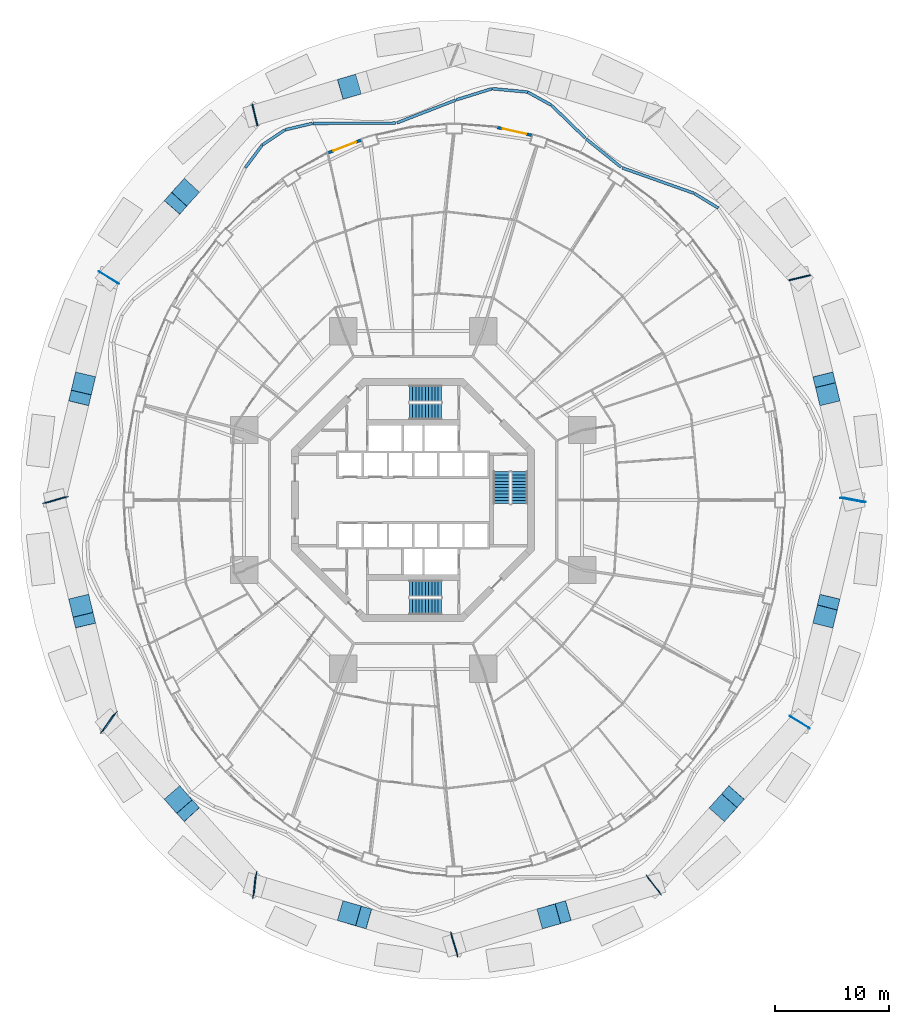
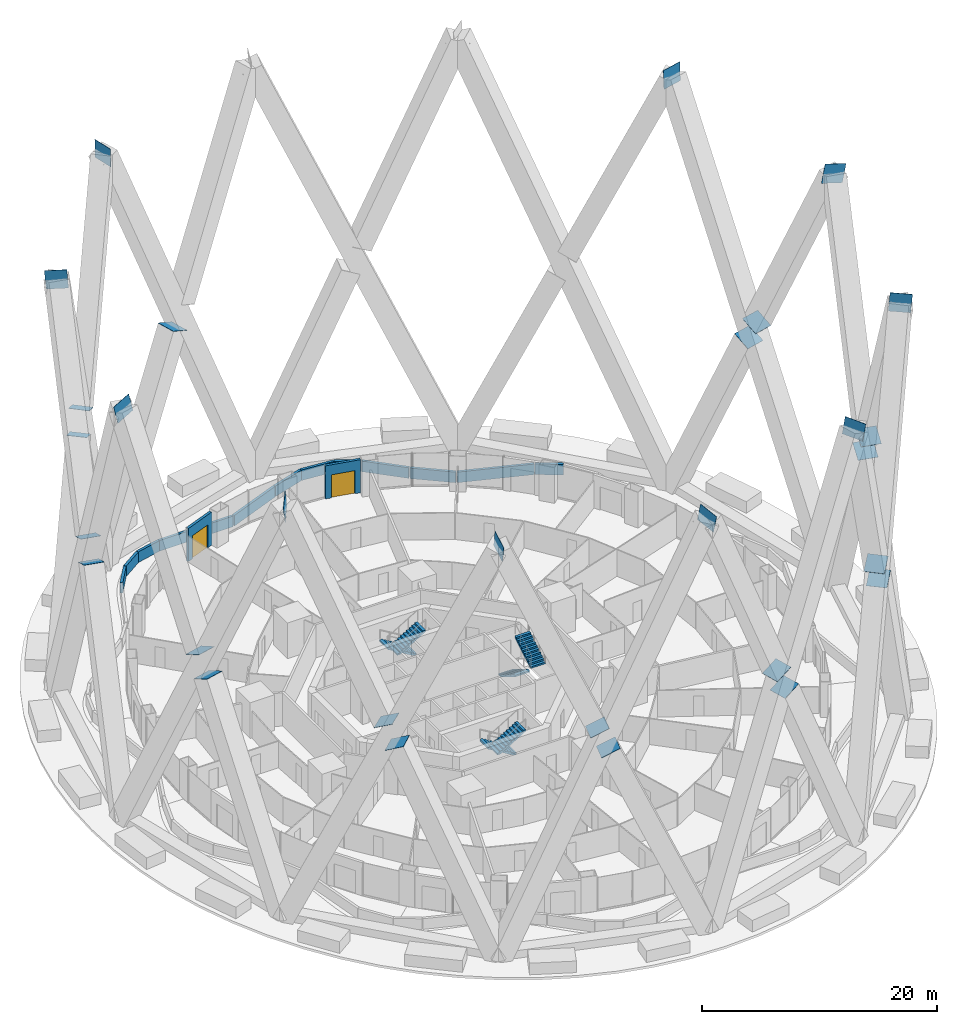
# One storey, part 40 of 42: 29 discrete accessories, 14 walls, 6 stair flights, 2 doors, 2 openings, 3 elements without a shape of their own.
"""IFC4 building model written with IfcOpenShell, lengths in metres."""

import ifcopenshell
import ifcopenshell.guid

model = None  # the IFC model being written
_history = None  # IfcOwnerHistory: only IFC2X3 demands one
_inside = {}  # id of a spatial element -> (the spatial element, [elements in it])
_under = {}  # id of a project, library or spatial element -> (it, [spatial elements below it])
_declared = {}  # id of a project -> (the project, [libraries it declares])
_typed = {}  # id of a type object -> (the type object, [elements of that type])
_made_of = {}  # id of a material, layer set ... -> (it, [elements and type objects made of it])


def new_model(schema):
    """Start an empty IFC model of exactly this schema.

    Asked for "IFC4X3", IfcOpenShell would pick the latest addendum, in which some entities
    have other attributes; the version numbers below select the first issue.
    IFC2X3 requires an IfcOwnerHistory on every rooted entity: one is made here for all.
    """
    global model, _history
    if schema == "IFC4X3":
        model = ifcopenshell.file(schema_version=(4, 3, 0, 0))
    else:
        model = ifcopenshell.file(schema=schema)
    _inside.clear()
    _under.clear()
    _declared.clear()
    _typed.clear()
    _made_of.clear()
    _history = None
    if model.schema == "IFC2X3":
        org = make("IfcOrganization", Name="unknown")
        user = make(
            "IfcPersonAndOrganization",
            ThePerson=make("IfcPerson", FamilyName="unknown"),
            TheOrganization=org,
        )
        app = make(
            "IfcApplication",
            ApplicationDeveloper=org,
            Version="unknown",
            ApplicationFullName="unknown",
            ApplicationIdentifier="unknown",
        )
        _history = make(
            "IfcOwnerHistory",
            OwningUser=user,
            OwningApplication=app,
            ChangeAction="ADDED",
            CreationDate=0,
        )
    return model


def make(cls, **values):
    """One entity of the class cls with the attributes given. An attribute that is None is left unset."""
    return model.create_entity(
        cls, **{name: value for name, value in values.items() if value is not None}
    )


def rooted(cls, **values):
    """An entity with a GlobalId (a new one), such as an element, a storey or a relation."""
    return make(cls, GlobalId=ifcopenshell.guid.new(), OwnerHistory=_history, **values)


def si_unit(unit_type, name, prefix=None):
    """IfcSIUnit, for example si_unit("LENGTHUNIT", "METRE", prefix="MILLI")."""
    return make("IfcSIUnit", UnitType=unit_type, Prefix=prefix, Name=name)


def assignment(units):
    """IfcUnitAssignment: the units of a project."""
    return None if units is None else make("IfcUnitAssignment", Units=units)


def point(xyz):
    """IfcCartesianPoint."""
    return None if xyz is None else make("IfcCartesianPoint", Coordinates=xyz)


def direction(xyz):
    """IfcDirection."""
    return None if xyz is None else make("IfcDirection", DirectionRatios=xyz)


def frame(location, z_axis=None, x_axis=None):
    """IfcAxis2Placement3D, a coordinate frame: its origin and axes. An axis left out is left unset."""
    return make(
        "IfcAxis2Placement3D",
        Location=point(location),
        Axis=direction(z_axis),
        RefDirection=direction(x_axis),
    )


def frame_2d(location, x_axis=None):
    """IfcAxis2Placement2D, a coordinate frame in the plane: its origin and x axis."""
    return make(
        "IfcAxis2Placement2D", Location=point(location), RefDirection=direction(x_axis)
    )


def origin():
    """The frame at (0, 0, 0) with its axes left unset."""
    return frame((0.0, 0.0, 0.0))


def origin_2d():
    """The frame at (0, 0) in the plane with its x axis left unset."""
    return frame_2d((0.0, 0.0))


def place(relative_to, where):
    """IfcLocalPlacement: puts the frame where relative to a parent placement (None: the world)."""
    return make(
        "IfcLocalPlacement", PlacementRelTo=relative_to, RelativePlacement=where
    )


def context(
    kind, dimensions, precision=None, world=None, true_north=None, identifier=None
):
    """IfcGeometricRepresentationContext, for example the 3D "Model" context."""
    return make(
        "IfcGeometricRepresentationContext",
        ContextIdentifier=identifier,
        ContextType=kind,
        CoordinateSpaceDimension=dimensions,
        Precision=precision,
        WorldCoordinateSystem=world,
        TrueNorth=true_north,
    )


def subcontext(parent, identifier, kind, view, scale=None):
    """IfcGeometricRepresentationSubContext, for example "Body" below "Model"."""
    return make(
        "IfcGeometricRepresentationSubContext",
        ContextIdentifier=identifier,
        ContextType=kind,
        ParentContext=parent,
        TargetScale=scale,
        TargetView=view,
    )


def project(units=None, contexts=None):
    """IfcProject with its units and contexts."""
    return rooted(
        "IfcProject",
        Name="project",
        RepresentationContexts=contexts,
        UnitsInContext=assignment(units),
    )


def spatial(cls, under=None, at=None, **own):
    """A site, building, storey or space (cls), placed at a placement, below another one or the project."""
    s = rooted(cls, ObjectPlacement=at, **own)
    if under is not None:
        _under.setdefault(under.id(), (under, []))[1].append(s)
    return s


def polyline(points):
    """IfcPolyline through the points."""
    return make("IfcPolyline", Points=[point(p) for p in points])


def profile(cls, at=None, kind="AREA", **sizes):
    """A parametric profile (cls). Its sizes go by their IFC names, for example OverallWidth=200.0."""
    return make(cls, ProfileType=kind, Position=at, **sizes)


def rectangle(**sizes):
    """IfcRectangleProfileDef."""
    return profile("IfcRectangleProfileDef", **sizes)


def outline(outer, holes=None, kind="AREA"):
    """IfcArbitraryClosedProfileDef: a profile drawn as a closed curve; with holes, ...WithVoids."""
    if holes is None:
        return make("IfcArbitraryClosedProfileDef", ProfileType=kind, OuterCurve=outer)
    return make(
        "IfcArbitraryProfileDefWithVoids",
        ProfileType=kind,
        OuterCurve=outer,
        InnerCurves=holes,
    )


def extrude(swept, where, along, depth):
    """IfcExtrudedAreaSolid: the profile swept, set in the frame where, extruded along a direction by depth."""
    return make(
        "IfcExtrudedAreaSolid",
        SweptArea=swept,
        Position=where,
        ExtrudedDirection=direction(along),
        Depth=depth,
    )


def shape(context_of_items, identifier, shape_type, items):
    """IfcShapeRepresentation: the items that make up one representation, for example the "Body"."""
    return make(
        "IfcShapeRepresentation",
        ContextOfItems=context_of_items,
        RepresentationIdentifier=identifier,
        RepresentationType=shape_type,
        Items=items,
    )


def material(Name=None, Category=None):
    """IfcMaterial."""
    return make("IfcMaterial", Name=Name, Category=Category)


def layer(
    of_material, thickness, ventilated=None, Name=None, Category=None, Priority=None
):
    """IfcMaterialLayer: one layer of a wall or slab, of a material (None: an air gap)."""
    return make(
        "IfcMaterialLayer",
        Material=of_material,
        LayerThickness=thickness,
        IsVentilated=ventilated,
        Name=Name,
        Category=Category,
        Priority=Priority,
    )


def layer_set(layers, Name=None):
    """IfcMaterialLayerSet."""
    return make("IfcMaterialLayerSet", MaterialLayers=layers, LayerSetName=Name)


def made_of(thing, what):
    """Note that an element or type object is made of a material, layer set ...; save() writes the relation."""
    if what is not None:
        _made_of.setdefault(what.id(), (what, []))[1].append(thing)
    return thing


def type_object(cls, material=None, **own):
    """A type object (cls), such as IfcWallType, which elements share."""
    return made_of(rooted(cls, **own), material)


def element(
    cls,
    number,
    at=None,
    inside=None,
    cuts=None,
    type_object=None,
    material=None,
    context=None,
    identifier="Body",
    shape_type=None,
    held_by="IfcProductDefinitionShape",
    body=None,
    shapes=None,
    **own,
):
    """One element of the class cls, such as IfcWall. Its Tag is "e" and its number.

    at: its placement. inside: the storey or other place that contains it. cuts: it is an
    opening in that element (IfcRelVoidsElement). A single representation is given by context,
    identifier, shape_type and body (its items); several are given by shapes. held_by: the class
    of the entity that holds the representations. save() writes the other relations.
    """
    e = rooted(cls, Tag="e%d" % number, ObjectPlacement=at, **own)
    if body is not None:
        shapes = [shape(context, identifier, shape_type, body)]
    if shapes is not None:
        e.Representation = make(held_by, Representations=shapes)
    if inside is not None:
        _inside.setdefault(inside.id(), (inside, []))[1].append(e)
    if cuts is not None:
        rooted(
            "IfcRelVoidsElement", RelatingBuildingElement=cuts, RelatedOpeningElement=e
        )
    if type_object is not None:
        _typed.setdefault(type_object.id(), (type_object, []))[1].append(e)
    return made_of(e, material)


def fill(opening, filler):
    """IfcRelFillsElement: the door or window that sits in an opening."""
    return rooted(
        "IfcRelFillsElement",
        RelatingOpeningElement=opening,
        RelatedBuildingElement=filler,
    )


def aggregate(whole, parts):
    """IfcRelAggregates: a whole, such as a stair, and the parts it consists of."""
    return rooted("IfcRelAggregates", RelatingObject=whole, RelatedObjects=parts)


def save(model, path):
    """Write the relations noted so far, then the file.

    IfcRelAggregates (storeys below a building ...), IfcRelContainedInSpatialStructure (elements
    in a storey), IfcRelDefinesByType, IfcRelAssociatesMaterial and IfcRelDeclares: one each for
    every whole, place, type object, material and project.
    """
    for whole, parts in _under.values():
        aggregate(whole, parts)
    for where, things in _inside.values():
        rooted(
            "IfcRelContainedInSpatialStructure",
            RelatedElements=things,
            RelatingStructure=where,
        )
    for kind, things in _typed.values():
        rooted("IfcRelDefinesByType", RelatedObjects=things, RelatingType=kind)
    for what, things in _made_of.values():
        rooted("IfcRelAssociatesMaterial", RelatedObjects=things, RelatingMaterial=what)
    for by, libraries in _declared.values():
        rooted("IfcRelDeclares", RelatingContext=by, RelatedDefinitions=libraries)
    model.write(path)


model = new_model("IFC4")

# Units and contexts
model_context = context("Model", 3, precision=1e-05, world=origin(), true_north=direction((0.0, 1.0)))
body_context = subcontext(model_context, "Body", "Model", "MODEL_VIEW")
ifc_project = project(units=[si_unit("LENGTHUNIT", "METRE"), si_unit("AREAUNIT", "SQUARE_METRE"), si_unit("VOLUMEUNIT", "CUBIC_METRE"), si_unit("PLANEANGLEUNIT", "RADIAN"), si_unit("MASSUNIT", "GRAM", prefix="KILO")], contexts=[model_context])

# Site, building, storey
site_placement = place(None, origin())
site = spatial("IfcSite", under=ifc_project, at=site_placement, CompositionType="ELEMENT")
building_placement = place(site_placement, origin())
building = spatial("IfcBuilding", under=site, at=building_placement, Name="Nagisa Residences", CompositionType="ELEMENT")
storey_placement = place(building_placement, frame((0.0, 0.0, 27.0)))
storey = spatial("IfcBuildingStorey", under=building, at=storey_placement, Name="L05", CompositionType="ELEMENT", Elevation=27.0)

# Wall, opening, door
ifc_material_1 = material(Name="Precast concrete C40/50", Category="concrete")
ifc_layer_1 = layer(ifc_material_1, 0.25)
ifc_layer_set_1 = layer_set([ifc_layer_1], Name="BALCONY DOOR WALL 250")
wall_type_1 = type_object("IfcWallType", Name="BALCONY DOOR WALL 250", PredefinedType="SOLIDWALL", material=ifc_layer_set_1)
wall_1_placement = place(storey_placement, frame((7.357666015625, 32.595703125, 0.0), z_axis=(0.0, 0.0, 1.0), x_axis=(0.97533495413, -0.220729987208, 0.0)))
wall_1 = element("IfcWall", 1, at=wall_1_placement, inside=storey, type_object=wall_type_1, Name="wall:L05:bay10", PredefinedType="SOLIDWALL", context=body_context, shape_type="SweptSolid", body=[
    extrude(rectangle(XDim=3.11474609375, YDim=0.25, at=frame_2d((1.557373046875, 0.0))), origin(), (0.0, 0.0, 1.0), 3.43994140625),
])
opening_1_placement = place(wall_1_placement, frame((0.50732421875, 0.0, 0.0)))
opening_1 = element("IfcOpeningElement", 2, at=opening_1_placement, cuts=wall_1, Name="Opening BD-L05-04", PredefinedType="OPENING", context=body_context, shape_type="SweptSolid", body=[
    extrude(rectangle(XDim=2.10009765625, YDim=2.39990234375, at=frame_2d((1.050048828125, 1.199951171875))), frame((0.0, 0.135009765625, 0.0), z_axis=(0.0, -1.0, 0.0), x_axis=(1.0, 0.0, 0.0)), (0.0, 0.0, 1.0), 0.27001953125),
])
ifc_material_2 = material(Name="Aluminium and clear glass", Category="aluminium")
door_type = type_object("IfcDoorType", Name="BALCONY SLIDING DOOR 2100x2400", OperationType="SLIDING_TO_LEFT", PredefinedType="DOOR", material=ifc_material_2)
door_1_placement = place(opening_1_placement, origin())
door_1 = element("IfcDoor", 3, at=door_1_placement, inside=storey, type_object=door_type, Name="door:L05:bay10", OperationType="SLIDING_TO_LEFT", OverallHeight=2.39990234375, OverallWidth=2.10009765625, PredefinedType="DOOR", context=body_context, shape_type="SweptSolid", body=[
    extrude(rectangle(XDim=2.10009765625, YDim=2.39990234375, at=frame_2d((1.050048828125, 1.199951171875))), frame((0.0, 0.02490234375, 0.0), z_axis=(0.0, -1.0, 0.0), x_axis=(1.0, 0.0, 0.0)), (0.0, 0.0, 1.0), 0.050048828125),
])
fill(opening_1, door_1)

wall_2_placement = place(storey_placement, frame((-7.452880859375, 30.371337890625, 0.0), z_axis=(0.0, 0.0, 1.0), x_axis=(0.932809381943, 0.360370166577, 0.0)))
wall_2 = element("IfcWall", 4, at=wall_2_placement, inside=storey, type_object=wall_type_1, Name="wall:L05:bay14", PredefinedType="SOLIDWALL", context=body_context, shape_type="SweptSolid", body=[
    extrude(rectangle(XDim=3.15087890625, YDim=0.25, at=frame_2d((1.575439453125, 0.0))), origin(), (0.0, 0.0, 1.0), 3.43994140625),
])
opening_2_placement = place(wall_2_placement, frame((0.525390625, 0.0, 0.0)))
opening_2 = element("IfcOpeningElement", 5, at=opening_2_placement, cuts=wall_2, Name="Opening BD-L05-05", PredefinedType="OPENING", context=body_context, shape_type="SweptSolid", body=[
    extrude(rectangle(XDim=2.10009765625, YDim=2.39990234375, at=frame_2d((1.050048828125, 1.199951171875))), frame((0.0, 0.135009765625, 0.0), z_axis=(0.0, -1.0, 0.0), x_axis=(1.0, 0.0, 0.0)), (0.0, 0.0, 1.0), 0.27001953125),
])
door_2_placement = place(opening_2_placement, origin())
door_2 = element("IfcDoor", 6, at=door_2_placement, inside=storey, type_object=door_type, Name="door:L05:bay14", OperationType="SLIDING_TO_LEFT", OverallHeight=2.39990234375, OverallWidth=2.10009765625, PredefinedType="DOOR", context=body_context, shape_type="SweptSolid", body=[
    extrude(rectangle(XDim=2.10009765625, YDim=2.39990234375, at=frame_2d((1.050048828125, 1.199951171875))), frame((0.0, 0.02490234375, 0.0), z_axis=(0.0, -1.0, 0.0), x_axis=(1.0, 0.0, 0.0)), (0.0, 0.0, 1.0), 0.050048828125),
])
fill(opening_2, door_2)

# Walls
ifc_material_3 = material(Name="Precast concrete C40/50", Category="concrete")
ifc_layer_2 = layer(ifc_material_3, 0.25)
ifc_layer_set_2 = layer_set([ifc_layer_2], Name="PARAPET 250")
wall_type_2 = type_object("IfcWallType", Name="PARAPET 250", PredefinedType="PARAPET", material=ifc_layer_set_2)
wall_3_placement = place(storey_placement, frame((26.690673828125, 25.544677734375, 0.0), z_axis=(0.0, 0.0, 1.0), x_axis=(-0.852196394013, 0.523222042761, 0.0)))
element("IfcWall", 7, at=wall_3_placement, inside=storey, type_object=wall_type_2, Name="parapet:L05:bal02-0-00", PredefinedType="PARAPET", context=body_context, shape_type="SweptSolid", body=[
    extrude(rectangle(XDim=2.42822265625, YDim=0.25, at=frame_2d((1.214111328125, 0.0))), origin(), (0.0, 0.0, 1.0), 1.10009765625),
])
wall_4_placement = place(storey_placement, frame((24.572998046875, 26.838134765625, 0.0), z_axis=(0.0, 0.0, 1.0), x_axis=(-0.94252427227, 0.334137690453, 0.0)))
element("IfcWall", 8, at=wall_4_placement, inside=storey, type_object=wall_type_2, Name="parapet:L05:bal02-0-01", PredefinedType="PARAPET", context=body_context, shape_type="SweptSolid", body=[
    extrude(rectangle(XDim=6.656982421875, YDim=0.25, at=frame_2d((3.32861328125, 0.0))), origin(), (0.0, 0.0, 1.0), 1.10009765625),
])
wall_5_placement = place(storey_placement, frame((18.19287109375, 29.121826171875, 0.0), z_axis=(0.0, 0.0, 1.0), x_axis=(-0.777298307168, 0.62913221319, 0.0)))
element("IfcWall", 9, at=wall_5_placement, inside=storey, type_object=wall_type_2, Name="parapet:L05:bal02-0-02", PredefinedType="PARAPET", context=body_context, shape_type="SweptSolid", body=[
    extrude(rectangle(XDim=3.9365234375, YDim=0.25, at=frame_2d((1.96826171875, 0.0))), origin(), (0.0, 0.0, 1.0), 1.10009765625),
])
wall_6_placement = place(storey_placement, frame((15.066162109375, 31.6669921875, 0.0), z_axis=(0.0, 0.0, 1.0), x_axis=(-0.717813068458, 0.696235878672, 0.0)))
element("IfcWall", 10, at=wall_6_placement, inside=storey, type_object=wall_type_2, Name="parapet:L05:bal03-0-00", PredefinedType="PARAPET", context=body_context, shape_type="SweptSolid", body=[
    extrude(rectangle(XDim=4.107177734375, YDim=0.25, at=frame_2d((2.0537109375, 0.0))), origin(), (0.0, 0.0, 1.0), 1.10009765625),
])
wall_7_placement = place(storey_placement, frame((12.080810546875, 34.55419921875, 0.0), z_axis=(0.0, 0.0, 1.0), x_axis=(-0.875309718776, 0.483562711772, 0.0)))
element("IfcWall", 11, at=wall_7_placement, inside=storey, type_object=wall_type_2, Name="parapet:L05:bal03-0-01", PredefinedType="PARAPET", context=body_context, shape_type="SweptSolid", body=[
    extrude(rectangle(XDim=2.353271484375, YDim=0.25, at=frame_2d((1.1767578125, 0.0))), origin(), (0.0, 0.0, 1.0), 1.10009765625),
])
wall_8_placement = place(storey_placement, frame((9.994873046875, 35.7001953125, 0.0), z_axis=(0.0, 0.0, 1.0), x_axis=(-0.995657166599, 0.093095685183, 0.0)))
element("IfcWall", 12, at=wall_8_placement, inside=storey, type_object=wall_type_2, Name="parapet:L05:bal03-0-02", PredefinedType="PARAPET", context=body_context, shape_type="SweptSolid", body=[
    extrude(rectangle(XDim=3.086669921875, YDim=0.25, at=frame_2d((1.54345703125, 0.0))), origin(), (0.0, 0.0, 1.0), 1.10009765625),
])
wall_9_placement = place(storey_placement, frame((6.892333984375, 35.984375, 0.0), z_axis=(0.0, 0.0, 1.0), x_axis=(-0.955072156414, -0.296373372695, 0.0)))
element("IfcWall", 13, at=wall_9_placement, inside=storey, type_object=wall_type_2, Name="parapet:L05:bal03-0-03", PredefinedType="PARAPET", context=body_context, shape_type="SweptSolid", body=[
    extrude(rectangle(XDim=3.268798828125, YDim=0.25, at=frame_2d((1.63427734375, 0.0))), origin(), (0.0, 0.0, 1.0), 1.10009765625),
])
wall_10_placement = place(storey_placement, frame((3.712890625, 34.989501953125, 0.0), z_axis=(0.0, 0.0, 1.0), x_axis=(-0.932281162563, -0.361734479874, 0.0)))
element("IfcWall", 14, at=wall_10_placement, inside=storey, type_object=wall_type_2, Name="parapet:L05:bal04-0-00", PredefinedType="PARAPET", context=body_context, shape_type="SweptSolid", body=[
    extrude(rectangle(XDim=5.5126953125, YDim=0.25, at=frame_2d((2.75634765625, 0.0))), origin(), (0.0, 0.0, 1.0), 1.10009765625),
])
wall_11_placement = place(storey_placement, frame((-1.548828125, 32.972412109375, 0.0), z_axis=(0.0, 0.0, 1.0), x_axis=(-0.999997519695, -0.002227241126, 0.0)))
element("IfcWall", 15, at=wall_11_placement, inside=storey, type_object=wall_type_2, Name="parapet:L05:bal04-0-01", PredefinedType="PARAPET", context=body_context, shape_type="SweptSolid", body=[
    extrude(rectangle(XDim=7.234619140625, YDim=0.25, at=frame_2d((3.6171875, 0.0))), origin(), (0.0, 0.0, 1.0), 1.10009765625),
])
wall_12_placement = place(storey_placement, frame((-8.8154296875, 32.953857421875, 0.0), z_axis=(0.0, 0.0, 1.0), x_axis=(-0.973368718072, -0.22924514974, 0.0)))
element("IfcWall", 16, at=wall_12_placement, inside=storey, type_object=wall_type_2, Name="parapet:L05:bal05-0-00", PredefinedType="PARAPET", context=body_context, shape_type="SweptSolid", body=[
    extrude(rectangle(XDim=2.4462890625, YDim=0.25, at=frame_2d((1.22314453125, 0.0))), origin(), (0.0, 0.0, 1.0), 1.10009765625),
])
wall_13_placement = place(storey_placement, frame((-11.22802734375, 32.37939453125, 0.0), z_axis=(0.0, 0.0, 1.0), x_axis=(-0.832193744061, -0.554484961334, 0.0)))
element("IfcWall", 17, at=wall_13_placement, inside=storey, type_object=wall_type_2, Name="parapet:L05:bal05-0-01", PredefinedType="PARAPET", context=body_context, shape_type="SweptSolid", body=[
    extrude(rectangle(XDim=2.35595703125, YDim=0.25, at=frame_2d((1.177978515625, 0.0))), origin(), (0.0, 0.0, 1.0), 1.10009765625),
])
wall_14_placement = place(storey_placement, frame((-13.215087890625, 31.048095703125, 0.0), z_axis=(0.0, 0.0, 1.0), x_axis=(-0.597715227752, -0.80170849223, 0.0)))
element("IfcWall", 18, at=wall_14_placement, inside=storey, type_object=wall_type_2, Name="parapet:L05:bal05-0-02", PredefinedType="PARAPET", context=body_context, shape_type="SweptSolid", body=[
    extrude(rectangle(XDim=2.447509765625, YDim=0.25, at=frame_2d((1.2236328125, 0.0))), origin(), (0.0, 0.0, 1.0), 1.10009765625),
])

# Stair, stair flights
ifc_material_4 = material(Name="Concrete C60", Category="concrete")
stair_type = type_object("IfcStairType", Name="Exit stair", PredefinedType="HALF_TURN_STAIR", material=ifc_material_4)
stair_1_placement = place(storey_placement, origin())
stair_1 = element("IfcStair", 19, at=stair_1_placement, inside=storey, type_object=stair_type, Name="L05 Exit stair E", PredefinedType="HALF_TURN_STAIR")
ifc_material_5 = material(Name="Concrete C60", Category="concrete")
stair_flight_type = type_object("IfcStairFlightType", Name="Exit stair flight", PredefinedType="STRAIGHT", material=ifc_material_5)
stair_flight_1_placement = place(storey_placement, frame((7.737060546875, 2.47509765625, 0.0), z_axis=(0.0, 0.0, 1.0), x_axis=(0.0, -1.0, 0.0)))
stair_flight_1 = element("IfcStairFlight", 20, at=stair_flight_1_placement, type_object=stair_flight_type, Name="ST-E flight 1", NumberOfRisers=11, NumberOfTreads=10, PredefinedType="STRAIGHT", RiserHeight=0.168181818, TreadLength=0.28, context=body_context, shape_type="SweptSolid", body=[
    extrude(outline(polyline([(0.0, 0.0), (0.0, 0.168212890625), (0.280029296875, 0.168212890625), (0.280029296875, 0.33642578125), (0.56005859375, 0.33642578125), (0.56005859375, 0.504638671875), (0.840087890625, 0.504638671875), (0.840087890625, 0.672607421875), (1.1201171875, 0.672607421875), (1.1201171875, 0.8408203125), (1.39990234375, 0.8408203125), (1.39990234375, 1.009033203125), (1.679931640625, 1.009033203125), (1.679931640625, 1.17724609375), (1.9599609375, 1.17724609375), (1.9599609375, 1.345458984375), (2.239990234375, 1.345458984375), (2.239990234375, 1.513671875), (2.52001953125, 1.513671875), (2.52001953125, 1.681884765625), (2.800048828125, 1.681884765625), (2.800048828125, 1.85009765625), (2.800048828125, 1.5068359375), (0.291015625, 0.0), (0.0, 0.0)])), frame((0.0, 0.71240234375, 0.0), z_axis=(0.0, -1.0, 0.0), x_axis=(1.0, 0.0, 0.0)), (0.0, 0.0, 1.0), 1.425048828125),
])
stair_flight_2_placement = place(storey_placement, frame((9.31201171875, -0.324951171875, 1.85009765625), z_axis=(0.0, 0.0, 1.0), x_axis=(0.0, 1.0, 0.0)))
stair_flight_2 = element("IfcStairFlight", 21, at=stair_flight_2_placement, type_object=stair_flight_type, Name="ST-E flight 2", NumberOfRisers=11, NumberOfTreads=10, PredefinedType="STRAIGHT", RiserHeight=0.168181818, TreadLength=0.28, context=body_context, shape_type="SweptSolid", body=[
    extrude(outline(polyline([(0.0, 0.0), (0.0, 0.168212890625), (0.280029296875, 0.168212890625), (0.280029296875, 0.33642578125), (0.56005859375, 0.33642578125), (0.56005859375, 0.504638671875), (0.840087890625, 0.504638671875), (0.840087890625, 0.672607421875), (1.1201171875, 0.672607421875), (1.1201171875, 0.8408203125), (1.39990234375, 0.8408203125), (1.39990234375, 1.009033203125), (1.679931640625, 1.009033203125), (1.679931640625, 1.17724609375), (1.9599609375, 1.17724609375), (1.9599609375, 1.345458984375), (2.239990234375, 1.345458984375), (2.239990234375, 1.513671875), (2.52001953125, 1.513671875), (2.52001953125, 1.681884765625), (2.800048828125, 1.681884765625), (2.800048828125, 1.85009765625), (2.800048828125, 1.5068359375), (0.291015625, 0.0), (0.0, 0.0)])), frame((0.0, 0.71240234375, 0.0), z_axis=(0.0, -1.0, 0.0), x_axis=(1.0, 0.0, 0.0)), (0.0, 0.0, 1.0), 1.425048828125),
])
aggregate(stair_1, [stair_flight_1, stair_flight_2])

stair_2_placement = place(storey_placement, origin())
stair_2 = element("IfcStair", 22, at=stair_2_placement, inside=storey, type_object=stair_type, Name="L05 Exit stair N", PredefinedType="HALF_TURN_STAIR")
stair_flight_3_placement = place(storey_placement, frame((2.47509765625, 9.31201171875, 0.0), z_axis=(0.0, 0.0, 1.0), x_axis=(-1.0, 0.0, 0.0)))
stair_flight_3 = element("IfcStairFlight", 23, at=stair_flight_3_placement, type_object=stair_flight_type, Name="ST-N flight 1", NumberOfRisers=11, NumberOfTreads=10, PredefinedType="STRAIGHT", RiserHeight=0.168181818, TreadLength=0.28, context=body_context, shape_type="SweptSolid", body=[
    extrude(outline(polyline([(0.0, 0.0), (0.0, 0.168212890625), (0.280029296875, 0.168212890625), (0.280029296875, 0.33642578125), (0.56005859375, 0.33642578125), (0.56005859375, 0.504638671875), (0.840087890625, 0.504638671875), (0.840087890625, 0.672607421875), (1.1201171875, 0.672607421875), (1.1201171875, 0.8408203125), (1.39990234375, 0.8408203125), (1.39990234375, 1.009033203125), (1.679931640625, 1.009033203125), (1.679931640625, 1.17724609375), (1.9599609375, 1.17724609375), (1.9599609375, 1.345458984375), (2.239990234375, 1.345458984375), (2.239990234375, 1.513671875), (2.52001953125, 1.513671875), (2.52001953125, 1.681884765625), (2.800048828125, 1.681884765625), (2.800048828125, 1.85009765625), (2.800048828125, 1.5068359375), (0.291015625, 0.0), (0.0, 0.0)])), frame((0.0, 0.71240234375, 0.0), z_axis=(0.0, -1.0, 0.0), x_axis=(1.0, 0.0, 0.0)), (0.0, 0.0, 1.0), 1.425048828125),
])
stair_flight_4_placement = place(storey_placement, frame((-0.324951171875, 7.737060546875, 1.85009765625), z_axis=(0.0, 0.0, 1.0), x_axis=(1.0, 0.0, 0.0)))
stair_flight_4 = element("IfcStairFlight", 24, at=stair_flight_4_placement, type_object=stair_flight_type, Name="ST-N flight 2", NumberOfRisers=11, NumberOfTreads=10, PredefinedType="STRAIGHT", RiserHeight=0.168181818, TreadLength=0.28, context=body_context, shape_type="SweptSolid", body=[
    extrude(outline(polyline([(0.0, 0.0), (0.0, 0.168212890625), (0.280029296875, 0.168212890625), (0.280029296875, 0.33642578125), (0.56005859375, 0.33642578125), (0.56005859375, 0.504638671875), (0.840087890625, 0.504638671875), (0.840087890625, 0.672607421875), (1.1201171875, 0.672607421875), (1.1201171875, 0.8408203125), (1.39990234375, 0.8408203125), (1.39990234375, 1.009033203125), (1.679931640625, 1.009033203125), (1.679931640625, 1.17724609375), (1.9599609375, 1.17724609375), (1.9599609375, 1.345458984375), (2.239990234375, 1.345458984375), (2.239990234375, 1.513671875), (2.52001953125, 1.513671875), (2.52001953125, 1.681884765625), (2.800048828125, 1.681884765625), (2.800048828125, 1.85009765625), (2.800048828125, 1.5068359375), (0.291015625, 0.0), (0.0, 0.0)])), frame((0.0, 0.71240234375, 0.0), z_axis=(0.0, -1.0, 0.0), x_axis=(1.0, 0.0, 0.0)), (0.0, 0.0, 1.0), 1.425048828125),
])
aggregate(stair_2, [stair_flight_3, stair_flight_4])

stair_3_placement = place(storey_placement, origin())
stair_3 = element("IfcStair", 25, at=stair_3_placement, inside=storey, type_object=stair_type, Name="L05 Exit stair S", PredefinedType="HALF_TURN_STAIR")
stair_flight_5_placement = place(storey_placement, frame((2.47509765625, -7.737060546875, 0.0), z_axis=(0.0, 0.0, 1.0), x_axis=(-1.0, 0.0, 0.0)))
stair_flight_5 = element("IfcStairFlight", 26, at=stair_flight_5_placement, type_object=stair_flight_type, Name="ST-S flight 1", NumberOfRisers=11, NumberOfTreads=10, PredefinedType="STRAIGHT", RiserHeight=0.168181818, TreadLength=0.28, context=body_context, shape_type="SweptSolid", body=[
    extrude(outline(polyline([(0.0, 0.0), (0.0, 0.168212890625), (0.280029296875, 0.168212890625), (0.280029296875, 0.33642578125), (0.56005859375, 0.33642578125), (0.56005859375, 0.504638671875), (0.840087890625, 0.504638671875), (0.840087890625, 0.672607421875), (1.1201171875, 0.672607421875), (1.1201171875, 0.8408203125), (1.39990234375, 0.8408203125), (1.39990234375, 1.009033203125), (1.679931640625, 1.009033203125), (1.679931640625, 1.17724609375), (1.9599609375, 1.17724609375), (1.9599609375, 1.345458984375), (2.239990234375, 1.345458984375), (2.239990234375, 1.513671875), (2.52001953125, 1.513671875), (2.52001953125, 1.681884765625), (2.800048828125, 1.681884765625), (2.800048828125, 1.85009765625), (2.800048828125, 1.5068359375), (0.291015625, 0.0), (0.0, 0.0)])), frame((0.0, 0.71240234375, 0.0), z_axis=(0.0, -1.0, 0.0), x_axis=(1.0, 0.0, 0.0)), (0.0, 0.0, 1.0), 1.425048828125),
])
stair_flight_6_placement = place(storey_placement, frame((-0.324951171875, -9.31201171875, 1.85009765625), z_axis=(0.0, 0.0, 1.0), x_axis=(1.0, 0.0, 0.0)))
stair_flight_6 = element("IfcStairFlight", 27, at=stair_flight_6_placement, type_object=stair_flight_type, Name="ST-S flight 2", NumberOfRisers=11, NumberOfTreads=10, PredefinedType="STRAIGHT", RiserHeight=0.168181818, TreadLength=0.28, context=body_context, shape_type="SweptSolid", body=[
    extrude(outline(polyline([(0.0, 0.0), (0.0, 0.168212890625), (0.280029296875, 0.168212890625), (0.280029296875, 0.33642578125), (0.56005859375, 0.33642578125), (0.56005859375, 0.504638671875), (0.840087890625, 0.504638671875), (0.840087890625, 0.672607421875), (1.1201171875, 0.672607421875), (1.1201171875, 0.8408203125), (1.39990234375, 0.8408203125), (1.39990234375, 1.009033203125), (1.679931640625, 1.009033203125), (1.679931640625, 1.17724609375), (1.9599609375, 1.17724609375), (1.9599609375, 1.345458984375), (2.239990234375, 1.345458984375), (2.239990234375, 1.513671875), (2.52001953125, 1.513671875), (2.52001953125, 1.681884765625), (2.800048828125, 1.681884765625), (2.800048828125, 1.85009765625), (2.800048828125, 1.5068359375), (0.291015625, 0.0), (0.0, 0.0)])), frame((0.0, 0.71240234375, 0.0), z_axis=(0.0, -1.0, 0.0), x_axis=(1.0, 0.0, 0.0)), (0.0, 0.0, 1.0), 1.425048828125),
])
aggregate(stair_3, [stair_flight_5, stair_flight_6])

# Discrete accessories
ifc_material_6 = material(Name="Steel ASTM A572 Gr 50", Category="steel")
ifc_layer_3 = layer(ifc_material_6, 0.030029296875)
ifc_layer_set_3 = layer_set([ifc_layer_3], Name="Node plate")
discrete_accessory_type = type_object("IfcDiscreteAccessoryType", Name="Node plate", PredefinedType="ANCHORPLATE", material=ifc_layer_set_3)
discrete_accessory_1_placement = place(storey_placement, frame((33.827880859375, 19.435302734375, 42.6005859375), z_axis=(-0.234712040403, 0.97122223615, -0.040467593173), x_axis=(0.010288815738, -0.039146058173, -0.999180527432)))
element("IfcDiscreteAccessory", 28, at=discrete_accessory_1_placement, inside=storey, type_object=discrete_accessory_type, Name="Node plate CD1101", PredefinedType="ANCHORPLATE", context=body_context, shape_type="SweptSolid", body=[
    extrude(rectangle(XDim=1.919921875, YDim=1.919921875, at=origin_2d()), origin(), (0.0, 0.0, 1.0), 0.0302734375),
])
discrete_accessory_2_placement = place(storey_placement, frame((36.0478515625, 10.2001953125, 20.259521484375), z_axis=(0.105824041307, -0.415155854358, 0.903574506543), x_axis=(0.969014535327, 0.247003705083, 0.0)))
element("IfcDiscreteAccessory", 29, at=discrete_accessory_2_placement, inside=storey, type_object=discrete_accessory_type, Name="Node plate CD1102A", PredefinedType="ANCHORPLATE", context=body_context, shape_type="SweptSolid", body=[
    extrude(rectangle(XDim=1.800048828125, YDim=1.800048828125, at=origin_2d()), origin(), (0.0, 0.0, 1.0), 0.030029296875),
])
discrete_accessory_3_placement = place(storey_placement, frame((36.2763671875, 9.25, 22.340576171875), z_axis=(-0.098094099664, 0.408725415267, -0.907370421893), x_axis=(-0.972387301981, -0.233372952475, 0.0)))
element("IfcDiscreteAccessory", 30, at=discrete_accessory_3_placement, inside=storey, type_object=discrete_accessory_type, Name="Node plate CD1102B", PredefinedType="ANCHORPLATE", context=body_context, shape_type="SweptSolid", body=[
    extrude(rectangle(XDim=1.800048828125, YDim=1.800048828125, at=origin_2d()), origin(), (0.0, 0.0, 1.0), 0.02978515625),
])
discrete_accessory_4_placement = place(storey_placement, frame((38.497314453125, -0.0146484375, 42.600341796875), z_axis=(0.180273373583, 0.983309310455, -0.024582732761), x_axis=(-0.187060672798, 0.009736954053, -0.982300105069)))
element("IfcDiscreteAccessory", 31, at=discrete_accessory_4_placement, inside=storey, type_object=discrete_accessory_type, Name="Node plate CD1102B", PredefinedType="ANCHORPLATE", context=body_context, shape_type="SweptSolid", body=[
    extrude(rectangle(XDim=1.919921875, YDim=1.919921875, at=origin_2d()), origin(), (0.0, 0.0, 1.0), 0.02978515625),
])
discrete_accessory_5_placement = place(storey_placement, frame((-13.83544921875, 33.69189453125, 42.6005859375), z_axis=(-0.970757642229, -0.236571190123, -0.040788136228), x_axis=(0.034316291002, 0.031411987516, -0.998917253436)))
element("IfcDiscreteAccessory", 32, at=discrete_accessory_5_placement, inside=storey, type_object=discrete_accessory_type, Name="Node plate CD1107", PredefinedType="ANCHORPLATE", context=body_context, shape_type="SweptSolid", body=[
    extrude(rectangle(XDim=1.919921875, YDim=1.919921875, at=origin_2d()), origin(), (0.0, 0.0, 1.0), 0.030029296875),
])
discrete_accessory_6_placement = place(storey_placement, frame((-5.58642578125, 36.156494140625, 20.173583984375), z_axis=(0.374914187959, 0.10595400964, 0.920984853029), x_axis=(-0.271957005226, 0.962309403107, 0.0)))
element("IfcDiscreteAccessory", 33, at=discrete_accessory_6_placement, inside=storey, type_object=discrete_accessory_type, Name="Node plate CD1108A", PredefinedType="ANCHORPLATE", context=body_context, shape_type="SweptSolid", body=[
    extrude(rectangle(XDim=1.800048828125, YDim=1.800048828125, at=origin_2d()), origin(), (0.0, 0.0, 1.0), 0.030029296875),
])
discrete_accessory_7_placement = place(storey_placement, frame((-26.632080078125, 19.437255859375, 42.599853515625), z_axis=(0.524079853539, 0.851629762001, 0.008188747712), x_axis=(0.071715218276, -0.034547570272, -0.996826661389)))
element("IfcDiscreteAccessory", 34, at=discrete_accessory_7_placement, inside=storey, type_object=discrete_accessory_type, Name="Node plate CD1109", PredefinedType="ANCHORPLATE", context=body_context, shape_type="SweptSolid", body=[
    extrude(rectangle(XDim=1.919921875, YDim=1.919921875, at=origin_2d()), origin(), (0.0, 0.0, 1.0), 0.02978515625),
])
for number, where, z_axis, x_axis, name in (
    (35, (-20.56103515625, 26.2080078125, 20.2197265625), (0.268754950318, 0.309475397336, 0.9121380132), (-0.755033118393, 0.655686655446, 0.0), "Node plate CD1110A"),
    (36, (-19.9130859375, 26.93017578125, 22.38037109375), (-0.276972531605, -0.301411284394, -0.91238010411), (0.736327520755, -0.676625289343, 0.0), "Node plate CD1110B"),
):
    element("IfcDiscreteAccessory", number, at=place(storey_placement, frame(where, z_axis=z_axis, x_axis=x_axis)), inside=storey, type_object=discrete_accessory_type, Name=name, PredefinedType="ANCHORPLATE", context=body_context, shape_type="SweptSolid", body=[
        extrude(rectangle(XDim=1.800048828125, YDim=1.800048828125, at=origin_2d()), origin(), (0.0, 0.0, 1.0), 0.030029296875),
    ])
discrete_accessory_8_placement = place(storey_placement, frame((-31.2958984375, -0.014404296875, 42.6005859375), z_axis=(-0.276642278071, 0.96011143566, -0.040682687952), x_axis=(0.232099902974, 0.025674843163, -0.972353041579)))
element("IfcDiscreteAccessory", 37, at=discrete_accessory_8_placement, inside=storey, type_object=discrete_accessory_type, Name="Node plate CD1111", PredefinedType="ANCHORPLATE", context=body_context, shape_type="SweptSolid", body=[
    extrude(rectangle(XDim=1.919921875, YDim=1.919921875, at=origin_2d()), origin(), (0.0, 0.0, 1.0), 0.030029296875),
])
discrete_accessory_9_placement = place(storey_placement, frame((-29.076416015625, 9.25, 20.259521484375), z_axis=(0.098094099664, 0.408725415267, 0.907370421893), x_axis=(-0.972387301981, 0.233372952475, 0.0)))
element("IfcDiscreteAccessory", 38, at=discrete_accessory_9_placement, inside=storey, type_object=discrete_accessory_type, Name="Node plate CD1112A", PredefinedType="ANCHORPLATE", context=body_context, shape_type="SweptSolid", body=[
    extrude(rectangle(XDim=1.800048828125, YDim=1.800048828125, at=origin_2d()), origin(), (0.0, 0.0, 1.0), 0.02978515625),
])
discrete_accessory_10_placement = place(storey_placement, frame((-28.847900390625, 10.2001953125, 22.340576171875), z_axis=(-0.097764743348, -0.415500159227, -0.904323875965), x_axis=(0.973417168334, -0.229039333726, 0.0)))
element("IfcDiscreteAccessory", 39, at=discrete_accessory_10_placement, inside=storey, type_object=discrete_accessory_type, Name="Node plate CD1112B", PredefinedType="ANCHORPLATE", context=body_context, shape_type="SweptSolid", body=[
    extrude(rectangle(XDim=1.800048828125, YDim=1.800048828125, at=origin_2d()), origin(), (0.0, 0.0, 1.0), 0.030029296875),
])
discrete_accessory_11_placement = place(storey_placement, frame((-26.636474609375, -19.441162109375, 42.59912109375), z_axis=(0.81022805863, -0.583364202214, 0.056715964104), x_axis=(0.217943563177, 0.210037649213, -0.95309222491)))
element("IfcDiscreteAccessory", 40, at=discrete_accessory_11_placement, inside=storey, type_object=discrete_accessory_type, Name="Node plate CD1113", PredefinedType="ANCHORPLATE", context=body_context, shape_type="SweptSolid", body=[
    extrude(rectangle(XDim=1.919921875, YDim=1.919921875, at=origin_2d()), origin(), (0.0, 0.0, 1.0), 0.030029296875),
])
discrete_accessory_12_placement = place(storey_placement, frame((-28.847900390625, -10.2001953125, 20.259521484375), z_axis=(-0.097764743348, 0.415500159227, 0.904323875965), x_axis=(-0.973417168334, -0.229039333726, 0.0)))
element("IfcDiscreteAccessory", 41, at=discrete_accessory_12_placement, inside=storey, type_object=discrete_accessory_type, Name="Node plate CD1114A", PredefinedType="ANCHORPLATE", context=body_context, shape_type="SweptSolid", body=[
    extrude(rectangle(XDim=1.800048828125, YDim=1.800048828125, at=origin_2d()), origin(), (0.0, 0.0, 1.0), 0.030029296875),
])
discrete_accessory_13_placement = place(storey_placement, frame((-29.076416015625, -9.25, 22.340576171875), z_axis=(0.098094099664, -0.408725415267, -0.907370421893), x_axis=(0.972387301981, 0.233372952475, 0.0)))
element("IfcDiscreteAccessory", 42, at=discrete_accessory_13_placement, inside=storey, type_object=discrete_accessory_type, Name="Node plate CD1114B", PredefinedType="ANCHORPLATE", context=body_context, shape_type="SweptSolid", body=[
    extrude(rectangle(XDim=1.800048828125, YDim=1.800048828125, at=origin_2d()), origin(), (0.0, 0.0, 1.0), 0.02978515625),
])
discrete_accessory_14_placement = place(storey_placement, frame((-13.86474609375, -33.6865234375, 42.59912109375), z_axis=(0.990772038522, -0.122822979982, 0.057317390658), x_axis=(0.089910367946, 0.279126975328, -0.9560356988)))
element("IfcDiscreteAccessory", 43, at=discrete_accessory_14_placement, inside=storey, type_object=discrete_accessory_type, Name="Node plate CD1115", PredefinedType="ANCHORPLATE", context=body_context, shape_type="SweptSolid", body=[
    extrude(rectangle(XDim=1.919921875, YDim=1.919921875, at=origin_2d()), origin(), (0.0, 0.0, 1.0), 0.02978515625),
])
for number, where, z_axis, x_axis, name in (
    (44, (-19.9130859375, -26.93017578125, 20.2197265625), (-0.276972531605, 0.301411284394, 0.91238010411), (-0.736327520755, -0.676625289343, 0.0), "Node plate CD1116A"),
    (45, (-20.56103515625, -26.2080078125, 22.38037109375), (0.268754950318, -0.309475397336, -0.9121380132), (0.755033118393, 0.655686655446, 0.0), "Node plate CD1116B"),
):
    element("IfcDiscreteAccessory", number, at=place(storey_placement, frame(where, z_axis=z_axis, x_axis=x_axis)), inside=storey, type_object=discrete_accessory_type, Name=name, PredefinedType="ANCHORPLATE", context=body_context, shape_type="SweptSolid", body=[
        extrude(rectangle(XDim=1.800048828125, YDim=1.800048828125, at=origin_2d()), origin(), (0.0, 0.0, 1.0), 0.030029296875),
    ])
discrete_accessory_15_placement = place(storey_placement, frame((3.585693359375, -38.904296875, 42.599365234375), z_axis=(0.957249389659, 0.286356655026, 0.040908093575), x_axis=(-0.028557508758, 0.234284880268, -0.971748456943)))
element("IfcDiscreteAccessory", 46, at=discrete_accessory_15_placement, inside=storey, type_object=discrete_accessory_type, Name="Node plate CD1117", PredefinedType="ANCHORPLATE", context=body_context, shape_type="SweptSolid", body=[
    extrude(rectangle(XDim=1.919921875, YDim=1.919921875, at=origin_2d()), origin(), (0.0, 0.0, 1.0), 0.02978515625),
])
for number, where, z_axis, x_axis, name in (
    (47, (-4.66357421875, -36.431884765625, 20.173583984375), (-0.374914187959, 0.10595400964, 0.920984853029), (-0.271957005226, -0.962309403107, 0.0), "Node plate CD1118A"),
    (48, (-5.58642578125, -36.156494140625, 22.42626953125), (0.374914187959, -0.10595400964, -0.920984853029), (0.271957005226, 0.962309403107, 0.0), "Node plate CD1118B"),
):
    element("IfcDiscreteAccessory", number, at=place(storey_placement, frame(where, z_axis=z_axis, x_axis=x_axis)), inside=storey, type_object=discrete_accessory_type, Name=name, PredefinedType="ANCHORPLATE", context=body_context, shape_type="SweptSolid", body=[
        extrude(rectangle(XDim=1.800048828125, YDim=1.800048828125, at=origin_2d()), origin(), (0.0, 0.0, 1.0), 0.030029296875),
    ])
discrete_accessory_16_placement = place(storey_placement, frame((21.0380859375, -33.697509765625, 42.599609375), z_axis=(0.790868915956, 0.611496584502, 0.02445986338), x_axis=(-0.075735724445, 0.137455865524, -0.987608214362)))
element("IfcDiscreteAccessory", 49, at=discrete_accessory_16_placement, inside=storey, type_object=discrete_accessory_type, Name="Node plate CD1119", PredefinedType="ANCHORPLATE", context=body_context, shape_type="SweptSolid", body=[
    extrude(rectangle(XDim=1.919921875, YDim=1.919921875, at=origin_2d()), origin(), (0.0, 0.0, 1.0), 0.030029296875),
])
for number, where, z_axis, x_axis, name in (
    (50, (12.786376953125, -36.156494140625, 20.173583984375), (-0.374914187959, -0.10595400964, 0.920984853029), (0.271957005226, -0.962309403107, 0.0), "Node plate CD1120A"),
    (51, (11.863525390625, -36.431884765625, 22.42626953125), (0.381886710378, 0.105628239041, -0.918153154737), (-0.266586054538, 0.963811120254, 0.0), "Node plate CD1120B"),
):
    element("IfcDiscreteAccessory", number, at=place(storey_placement, frame(where, z_axis=z_axis, x_axis=x_axis)), inside=storey, type_object=discrete_accessory_type, Name=name, PredefinedType="ANCHORPLATE", context=body_context, shape_type="SweptSolid", body=[
        extrude(rectangle(XDim=1.800048828125, YDim=1.800048828125, at=origin_2d()), origin(), (0.0, 0.0, 1.0), 0.030029296875),
    ])
discrete_accessory_17_placement = place(storey_placement, frame((33.83203125, -19.437255859375, 42.60009765625), z_axis=(-0.520462828118, -0.853884327381, 0.0), x_axis=(-0.068876251754, 0.041981715355, -0.996741489816)))
element("IfcDiscreteAccessory", 52, at=discrete_accessory_17_placement, inside=storey, type_object=discrete_accessory_type, Name="Node plate CD1121", PredefinedType="ANCHORPLATE", context=body_context, shape_type="SweptSolid", body=[
    extrude(rectangle(XDim=1.919921875, YDim=1.919921875, at=origin_2d()), origin(), (0.0, 0.0, 1.0), 0.030029296875),
])
discrete_accessory_18_placement = place(storey_placement, frame((27.760986328125, -26.2080078125, 20.2197265625), z_axis=(-0.268754950318, -0.309475397336, 0.9121380132), x_axis=(0.755033118393, -0.655686655446, 0.0)))
element("IfcDiscreteAccessory", 53, at=discrete_accessory_18_placement, inside=storey, type_object=discrete_accessory_type, Name="Node plate CD1122A", PredefinedType="ANCHORPLATE", context=body_context, shape_type="SweptSolid", body=[
    extrude(rectangle(XDim=1.800048828125, YDim=1.800048828125, at=origin_2d()), origin(), (0.0, 0.0, 1.0), 0.030029296875),
])
for number, where, z_axis, x_axis, name in (
    (54, (27.11328125, -26.93017578125, 22.38037109375), (0.269425910577, 0.302083596708, -0.914415211657), (-0.746295434469, 0.665614846958, 0.0), "Node plate CD1122B"),
    (55, (36.2763671875, -9.25, 20.259521484375), (-0.098094099664, -0.408725415267, 0.907370421893), (0.972387301981, -0.233372952475, 0.0), "Node plate CD1124A"),
):
    element("IfcDiscreteAccessory", number, at=place(storey_placement, frame(where, z_axis=z_axis, x_axis=x_axis)), inside=storey, type_object=discrete_accessory_type, Name=name, PredefinedType="ANCHORPLATE", context=body_context, shape_type="SweptSolid", body=[
        extrude(rectangle(XDim=1.800048828125, YDim=1.800048828125, at=origin_2d()), origin(), (0.0, 0.0, 1.0), 0.02978515625),
    ])
discrete_accessory_19_placement = place(storey_placement, frame((36.0478515625, -10.2001953125, 22.340576171875), z_axis=(0.105824041307, 0.415155854358, -0.903574506543), x_axis=(-0.969014535327, 0.247003705083, 0.0)))
element("IfcDiscreteAccessory", 56, at=discrete_accessory_19_placement, inside=storey, type_object=discrete_accessory_type, Name="Node plate CD1124B", PredefinedType="ANCHORPLATE", context=body_context, shape_type="SweptSolid", body=[
    extrude(rectangle(XDim=1.800048828125, YDim=1.800048828125, at=origin_2d()), origin(), (0.0, 0.0, 1.0), 0.030029296875),
])

save(model, "model.ifc")
